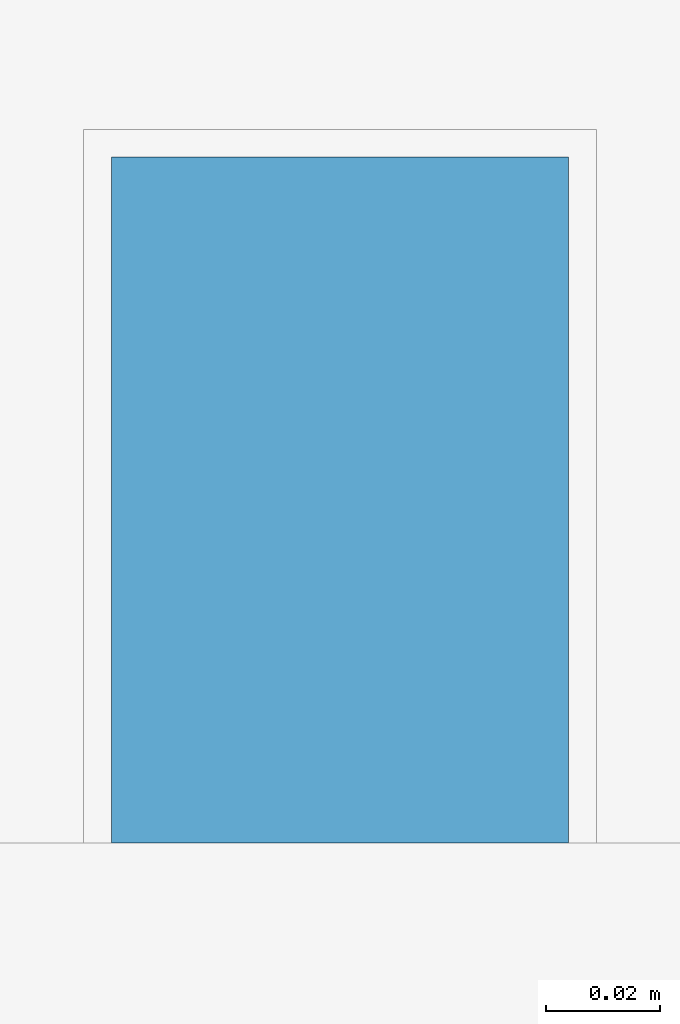
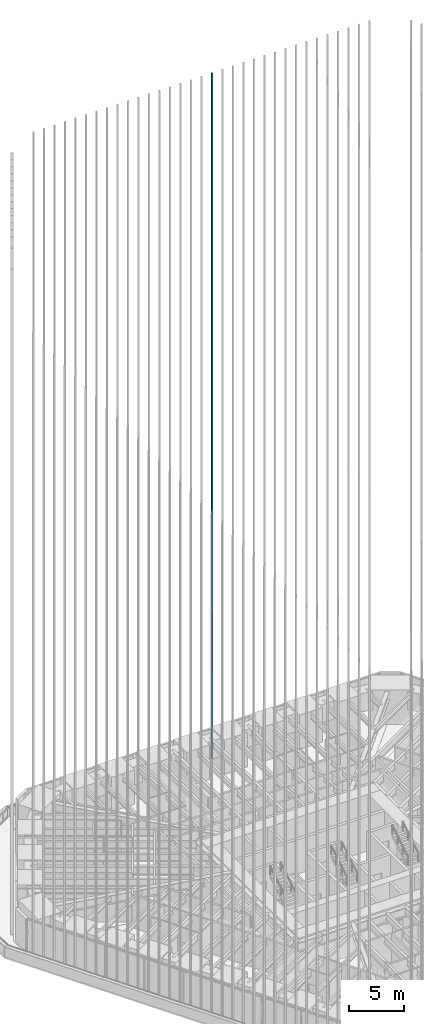
# One storey, part 198 of 238: 1 member, 1 element without a shape of its own.
"""IFC4 building model written with IfcOpenShell, lengths in metres."""

from ifc_helpers import new_model, si_unit, direction, frame, origin, origin_2d, place, context, subcontext, project, spatial, rectangle, extrude, material, material_profile, profile_set, type_object, element, aggregate, save


model = new_model("IFC4")

# Units and contexts
model_context = context("Model", 3, precision=1e-05, world=origin(), true_north=direction((0.0, 1.0)))
body_context = subcontext(model_context, "Body", "Model", "MODEL_VIEW")
ifc_project = project(units=[si_unit("LENGTHUNIT", "METRE"), si_unit("AREAUNIT", "SQUARE_METRE"), si_unit("VOLUMEUNIT", "CUBIC_METRE"), si_unit("PLANEANGLEUNIT", "RADIAN"), si_unit("MASSUNIT", "GRAM", prefix="KILO")], contexts=[model_context])

# Site, building, storey
site_placement = place(None, origin())
site = spatial("IfcSite", under=ifc_project, at=site_placement, CompositionType="ELEMENT")
building_placement = place(site_placement, origin())
building = spatial("IfcBuilding", under=site, at=building_placement, Name="Sandreach Pilgrim Tower", CompositionType="ELEMENT")
storey_placement = place(building_placement, frame((0.0, 0.0, 96.800048828125)))
storey = spatial("IfcBuildingStorey", under=building, at=storey_placement, Name="L23", CompositionType="ELEMENT", Elevation=96.800048828125)

# Curtain wall, member
ifc_material_1 = material(Name="Aluminium framed curtain wall", Category="aluminium")
curtain_wall_type = type_object("IfcCurtainWallType", Name="Hotel tower curtain wall", PredefinedType="NOTDEFINED", material=ifc_material_1)
curtain_wall_placement = place(storey_placement, origin())
curtain_wall = element("IfcCurtainWall", 1, at=curtain_wall_placement, inside=storey, type_object=curtain_wall_type, Name="CW-2 L23 N", PredefinedType="NOTDEFINED")
ifc_material_2 = material(Name="Extruded terracotta on aluminium core", Category="masonry")
ifc_material_profile = material_profile(ifc_material_2, rectangle(XDim=0.080078125, YDim=0.1201171875, at=origin_2d()), Name="TBN 80X120")
ifc_profile_set = profile_set([ifc_material_profile], Name="Extruded terracotta on aluminium core")
member_type = type_object("IfcMemberType", Name="Terracotta baguette north", PredefinedType="USERDEFINED", material=ifc_profile_set)
member_placement = place(storey_placement, frame((1.099365234375, 22.853759765625, 0.0), z_axis=(0.0, 0.0, 1.0), x_axis=(1.0, 0.0, 0.0)))
member = element("IfcMember", 2, at=member_placement, type_object=member_type, Name="Baguette Z2 N18", ObjectType="BAGUETTE", PredefinedType="USERDEFINED", context=body_context, shape_type="SweptSolid", body=[
    extrude(rectangle(XDim=0.080078125, YDim=0.1201171875, at=origin_2d()), origin(), (0.0, 0.0, 1.0), 75.83984375),
])
aggregate(curtain_wall, [member])

save(model, "model.ifc")
